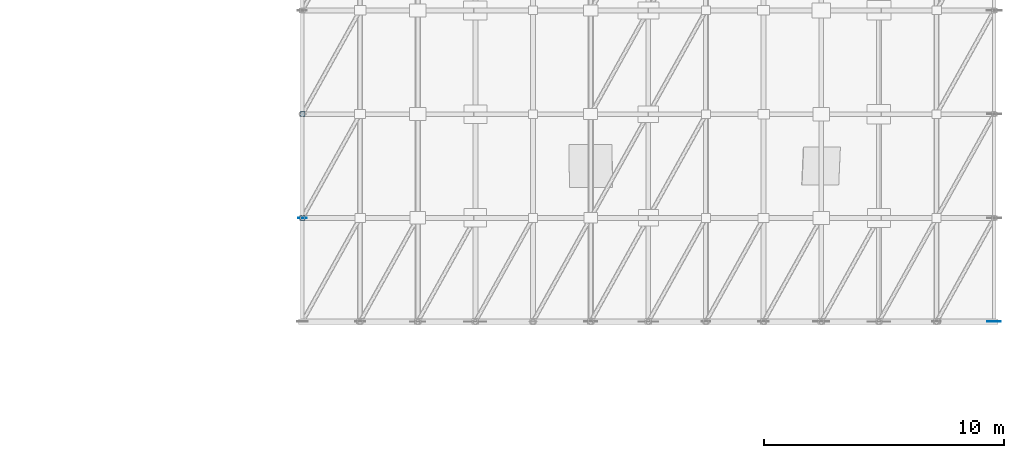
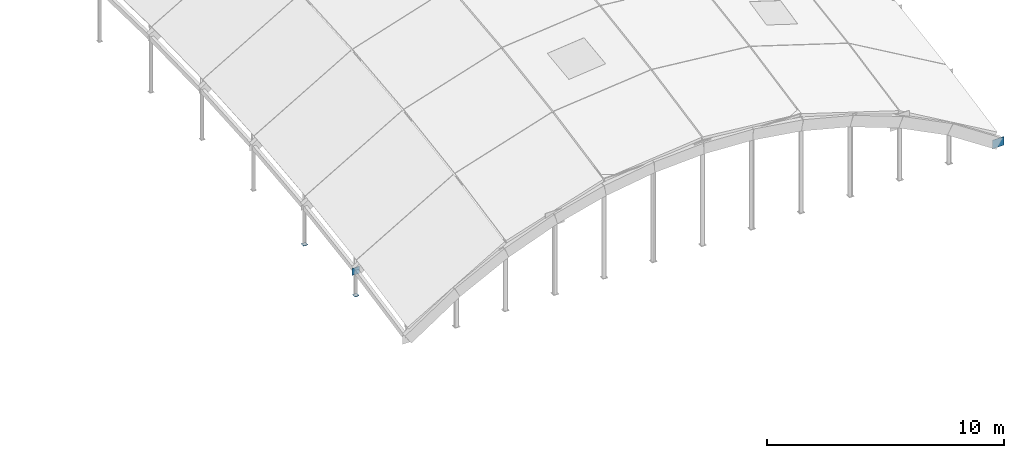
# One storey, part 27 of 35: 4 plates.
"""IFC4 building model written with IfcOpenShell, lengths in metres."""

from ifc_helpers import new_model, si_unit, direction, frame, origin, origin_2d, place, context, subcontext, project, spatial, rectangle, extrude, material, layer, layer_set, type_object, element, save


model = new_model("IFC4")

# Units and contexts
model_context = context("Model", 3, precision=1e-05, world=origin(), true_north=direction((0.0, 1.0)))
body_context = subcontext(model_context, "Body", "Model", "MODEL_VIEW")
ifc_project = project(units=[si_unit("LENGTHUNIT", "METRE"), si_unit("AREAUNIT", "SQUARE_METRE"), si_unit("VOLUMEUNIT", "CUBIC_METRE"), si_unit("PLANEANGLEUNIT", "RADIAN"), si_unit("MASSUNIT", "GRAM", prefix="KILO")], contexts=[model_context])

# Site, building, storey
site_placement = place(None, origin())
site = spatial("IfcSite", under=ifc_project, at=site_placement, CompositionType="ELEMENT")
building_placement = place(site_placement, origin())
building = spatial("IfcBuilding", under=site, at=building_placement, Name="Zarrinpeak Specialist Clinic", CompositionType="ELEMENT")
storey_placement = place(building_placement, frame((0.0, 0.0, 31.60009765625)))
storey = spatial("IfcBuildingStorey", under=building, at=storey_placement, Name="RF", CompositionType="ELEMENT", Elevation=31.60009765625)

# Plates
ifc_material = material(Name="Steel S355", Category="steel")
ifc_layer_1 = layer(ifc_material, 0.013916015625)
ifc_layer_set_1 = layer_set([ifc_layer_1], Name="Steel S355")
plate_type_1 = type_object("IfcPlateType", Name="PL-CAP168", PredefinedType="SHEET", material=ifc_layer_set_1)
for number, where, z_axis, x_axis, name in (
    (1, (93.60009765625, 33.1201171875, -18.0), (0.0, 0.0, 1.0), (1.0, 0.0, 0.0), "V3 Gridshell Edge Post Cap Plate PCAP-023"),
    (2, (93.60009765625, 37.43994140625, -18.0), (0.0, 0.0, 1.0), (1.0, 0.0, 0.0), "V3 Gridshell Edge Post Cap Plate PCAP-025"),
):
    element("IfcPlate", number, at=place(storey_placement, frame(where, z_axis=z_axis, x_axis=x_axis)), inside=storey, type_object=plate_type_1, Name=name, PredefinedType="SHEET", context=body_context, shape_type="SweptSolid", body=[
        extrude(rectangle(XDim=0.2099609375, YDim=0.2099609375, at=origin_2d()), origin(), (0.0, 0.0, 1.0), 0.013916015625),
    ])
ifc_layer_2 = layer(ifc_material, 0.02001953125)
ifc_layer_set_2 = layer_set([ifc_layer_2], Name="Steel S355")
plate_type_2 = type_object("IfcPlateType", Name="PL-GSN02", PredefinedType="SHEET", material=ifc_layer_set_2)
plate_1_placement = place(storey_placement, frame((93.60009765625, 33.1201171875, -16.916015625), z_axis=(0.0, 0.0, 1.0), x_axis=(1.0, 0.0, 0.0)))
element("IfcPlate", 3, at=plate_1_placement, inside=storey, type_object=plate_type_2, Name="V3 Gridshell Hub Node Plate GSN-I00-J01", PredefinedType="SHEET", context=body_context, shape_type="SweptSolid", body=[
    extrude(rectangle(XDim=0.360107421875, YDim=0.02001953125, at=origin_2d()), origin(), (0.0, 0.0, 1.0), 0.360107421875),
])
ifc_layer_3 = layer(ifc_material, 0.02001953125)
ifc_layer_set_3 = layer_set([ifc_layer_3], Name="Steel S355")
plate_type_3 = type_object("IfcPlateType", Name="PL-ND15", PredefinedType="SHEET", material=ifc_layer_set_3)
plate_2_placement = place(storey_placement, frame((122.39990234375, 28.800048828125, -17.820068359375), z_axis=(0.0, 0.0, 1.0), x_axis=(1.0, 0.0, 0.0)))
element("IfcPlate", 4, at=plate_2_placement, inside=storey, type_object=plate_type_3, Name="V3 Gridshell Hub Node Plate GSN-I12-J00", PredefinedType="SHEET", context=body_context, shape_type="SweptSolid", body=[
    extrude(rectangle(XDim=0.56005859375, YDim=0.02001953125, at=origin_2d()), origin(), (0.0, 0.0, 1.0), 0.43994140625),
])

save(model, "model.ifc")
